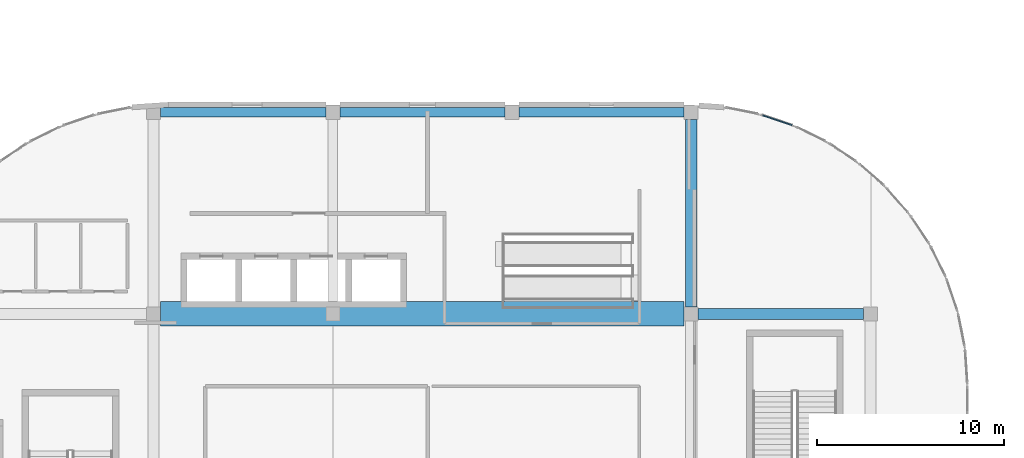
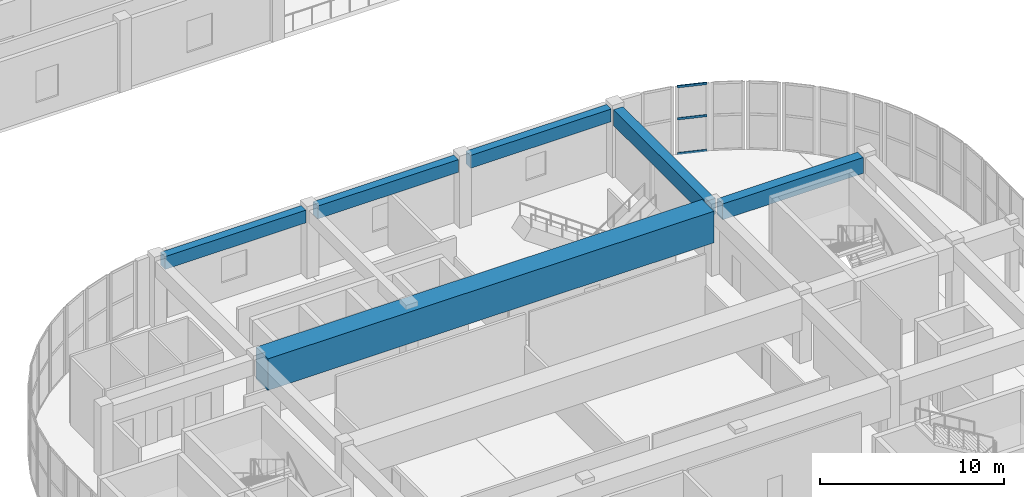
# One storey, part 11 of 28: 6 beams, 3 members, 1 element without a shape of its own.
"""IFC4 building model written with IfcOpenShell, lengths in metres."""

from ifc_helpers import new_model, si_unit, direction, frame, origin, origin_2d, place, context, subcontext, project, spatial, rectangle, extrude, material, layer, layer_set, material_profile, profile_set, type_object, element, aggregate, save


model = new_model("IFC4")

# Units and contexts
model_context = context("Model", 3, precision=1e-05, world=origin(), true_north=direction((0.0, 1.0)))
body_context = subcontext(model_context, "Body", "Model", "MODEL_VIEW")
ifc_project = project(units=[si_unit("LENGTHUNIT", "METRE"), si_unit("AREAUNIT", "SQUARE_METRE"), si_unit("VOLUMEUNIT", "CUBIC_METRE"), si_unit("PLANEANGLEUNIT", "RADIAN"), si_unit("MASSUNIT", "GRAM", prefix="KILO")], contexts=[model_context])

# Site, building, storey
site_placement = place(None, origin())
site = spatial("IfcSite", under=ifc_project, at=site_placement, CompositionType="ELEMENT")
building_placement = place(site_placement, origin())
building = spatial("IfcBuilding", under=site, at=building_placement, Name="Cendralis Terraced Arcade", CompositionType="ELEMENT")
storey_placement = place(building_placement, frame((0.0, 0.0, 24.60009765625)))
storey = spatial("IfcBuildingStorey", under=building, at=storey_placement, Name="L05", CompositionType="ELEMENT", Elevation=24.60009765625)

# Beams
ifc_material_1 = material(Name="Concrete f'c 35 MPa", Category="concrete")
ifc_material_profile_1 = material_profile(ifc_material_1, rectangle(XDim=0.5, YDim=0.85009765625, at=origin_2d()), Name="RC-BM-500x850", Category="LoadBearing")
ifc_profile_set_1 = profile_set([ifc_material_profile_1], Name="Concrete f'c 35 MPa")
beam_type_1 = type_object("IfcBeamType", Name="BM-500x850", PredefinedType="JOIST", material=ifc_profile_set_1)
beam_1_placement = place(storey_placement, frame((19.574951171875, 49.199951171875, 4.08984375), z_axis=(1.0, 0.0, 0.0), x_axis=(0.0, 1.0, 0.0)))
element("IfcBeam", 1, at=beam_1_placement, inside=storey, type_object=beam_type_1, Name="Terrace Support Girder TER-L06-V1-4", PredefinedType="JOIST", context=body_context, shape_type="SweptSolid", body=[
    extrude(rectangle(XDim=0.5, YDim=0.85009765625, at=origin_2d()), origin(), (0.0, 0.0, 1.0), 8.85009765625),
])
beam_2_placement = place(storey_placement, frame((29.175048828125, 49.199951171875, 4.08984375), z_axis=(1.0, 0.0, 0.0), x_axis=(0.0, 1.0, 0.0)))
element("IfcBeam", 2, at=beam_2_placement, inside=storey, type_object=beam_type_1, Name="Terrace Support Girder TER-L06-V1-5", PredefinedType="JOIST", context=body_context, shape_type="SweptSolid", body=[
    extrude(rectangle(XDim=0.5, YDim=0.85009765625, at=origin_2d()), origin(), (0.0, 0.0, 1.0), 8.849853515625),
])
beam_3_placement = place(storey_placement, frame((38.77490234375, 49.199951171875, 4.08984375), z_axis=(1.0, 0.0, 0.0), x_axis=(0.0, 1.0, 0.0)))
element("IfcBeam", 3, at=beam_3_placement, inside=storey, type_object=beam_type_1, Name="Terrace Support Girder TER-L06-V1-6", PredefinedType="JOIST", context=body_context, shape_type="SweptSolid", body=[
    extrude(rectangle(XDim=0.5, YDim=0.85009765625, at=origin_2d()), origin(), (0.0, 0.0, 1.0), 8.85009765625),
])
ifc_material_profile_2 = material_profile(ifc_material_1, rectangle(XDim=0.60009765625, YDim=1.050048828125, at=origin_2d()), Name="RC-BM-600x1050", Category="LoadBearing")
ifc_profile_set_2 = profile_set([ifc_material_profile_2], Name="Concrete f'c 35 MPa")
beam_type_2 = type_object("IfcBeamType", Name="BM-600x1050", PredefinedType="JOIST", material=ifc_profile_set_2)
beam_4_placement = place(storey_placement, frame((48.375, 38.39990234375, 3.98486328125), z_axis=(1.0, 0.0, 0.0), x_axis=(0.0, 1.0, 0.0)))
element("IfcBeam", 4, at=beam_4_placement, inside=storey, type_object=beam_type_2, Name="Reinforced Concrete Frame Beam BM-X-L06-E-6_7", PredefinedType="JOIST", context=body_context, shape_type="SweptSolid", body=[
    extrude(rectangle(XDim=0.60009765625, YDim=1.050048828125, at=origin_2d()), origin(), (0.0, 0.0, 1.0), 8.85009765625),
])
beam_5_placement = place(storey_placement, frame((48.0, 38.77490234375, 3.98486328125), z_axis=(0.0, 1.0, 0.0), x_axis=(-1.0, 0.0, 0.0)))
element("IfcBeam", 5, at=beam_5_placement, inside=storey, type_object=beam_type_2, Name="Reinforced Concrete Frame Beam BM-Y-L06-6-E_F", PredefinedType="JOIST", context=body_context, shape_type="SweptSolid", body=[
    extrude(rectangle(XDim=0.60009765625, YDim=1.050048828125, at=origin_2d()), origin(), (0.0, 0.0, 1.0), 10.050048828125),
])
ifc_material_2 = material(Name="Concrete f'c 42 MPa", Category="concrete")
ifc_material_profile_3 = material_profile(ifc_material_2, rectangle(XDim=1.300048828125, YDim=2.10009765625, at=origin_2d()), Name="RC-TG-1300x2100", Category="LoadBearing")
ifc_profile_set_3 = profile_set([ifc_material_profile_3], Name="Concrete f'c 42 MPa")
beam_type_3 = type_object("IfcBeamType", Name="BM-TG-1300x2100", PredefinedType="USERDEFINED", material=ifc_profile_set_3)
beam_6_placement = place(storey_placement, frame((19.574951171875, 38.39990234375, 3.4599609375), z_axis=(1.0, 0.0, 0.0), x_axis=(0.0, 1.0, 0.0)))
element("IfcBeam", 6, at=beam_6_placement, inside=storey, type_object=beam_type_3, Name="Atrium Bridge Transfer Girder TG-ATR-L06-E", ObjectType="TRANSFER GIRDER", PredefinedType="USERDEFINED", context=body_context, shape_type="SweptSolid", body=[
    extrude(rectangle(XDim=1.300048828125, YDim=2.10009765625, at=origin_2d()), origin(), (0.0, 0.0, 1.0), 28.050048828125),
])

# Curtain wall, members
ifc_material_3 = material(Name="Anodised aluminium EN AW-6063 T6", Category="aluminium")
ifc_layer = layer(ifc_material_3, 0.179931640625, Name="CW-UNIT-A")
ifc_layer_set = layer_set([ifc_layer], Name="Anodised aluminium EN AW-6063 T6")
curtain_wall_type = type_object("IfcCurtainWallType", Name="CW-UNIT-A", PredefinedType="USERDEFINED", material=ifc_layer_set)
curtain_wall_placement = place(storey_placement, origin())
curtain_wall = element("IfcCurtainWall", 7, at=curtain_wall_placement, inside=storey, type_object=curtain_wall_type, Name="Exterior Unitised Facade CW-L05-0391", ObjectType="UNITISED FACADE", PredefinedType="USERDEFINED")
ifc_material_profile_4 = material_profile(ifc_material_3, rectangle(XDim=0.06494140625, YDim=0.14990234375, at=origin_2d()), Name="ALU-TRN-65x150")
ifc_profile_set_4 = profile_set([ifc_material_profile_4], Name="Anodised aluminium EN AW-6063 T6")
member_type = type_object("IfcMemberType", Name="CW-UNIT-A-TRN", PredefinedType="USERDEFINED", material=ifc_profile_set_4)
member_1_placement = place(storey_placement, frame((51.8291015625, 49.0390625, 0.032470703125), z_axis=(0.94694015461, -0.321409930755, 0.0), x_axis=(0.321409930755, 0.94694015461, 0.0)))
member_1 = element("IfcMember", 8, at=member_1_placement, type_object=member_type, Name="CW-U1 transom 1.1", ObjectType="TRANSOM", PredefinedType="USERDEFINED", context=body_context, shape_type="SweptSolid", body=[
    extrude(rectangle(XDim=0.06494140625, YDim=0.14990234375, at=origin_2d()), origin(), (0.0, 0.0, 1.0), 1.652099609375),
])
member_2_placement = place(storey_placement, frame((51.8291015625, 49.0390625, 2.34521484375), z_axis=(0.94694015461, -0.321409930755, 0.0), x_axis=(0.321409930755, 0.94694015461, 0.0)))
member_2 = element("IfcMember", 9, at=member_2_placement, type_object=member_type, Name="CW-U1 transom 1.2", ObjectType="TRANSOM", PredefinedType="USERDEFINED", context=body_context, shape_type="SweptSolid", body=[
    extrude(rectangle(XDim=0.06494140625, YDim=0.14990234375, at=origin_2d()), origin(), (0.0, 0.0, 1.0), 1.652099609375),
])
member_3_placement = place(storey_placement, frame((51.8291015625, 49.0390625, 4.477294921875), z_axis=(0.94694015461, -0.321409930755, 0.0), x_axis=(0.321409930755, 0.94694015461, 0.0)))
member_3 = element("IfcMember", 10, at=member_3_placement, type_object=member_type, Name="CW-U1 transom 1.3", ObjectType="TRANSOM", PredefinedType="USERDEFINED", context=body_context, shape_type="SweptSolid", body=[
    extrude(rectangle(XDim=0.06494140625, YDim=0.14990234375, at=origin_2d()), origin(), (0.0, 0.0, 1.0), 1.652099609375),
])
aggregate(curtain_wall, [member_1, member_2, member_3])

save(model, "model.ifc")
